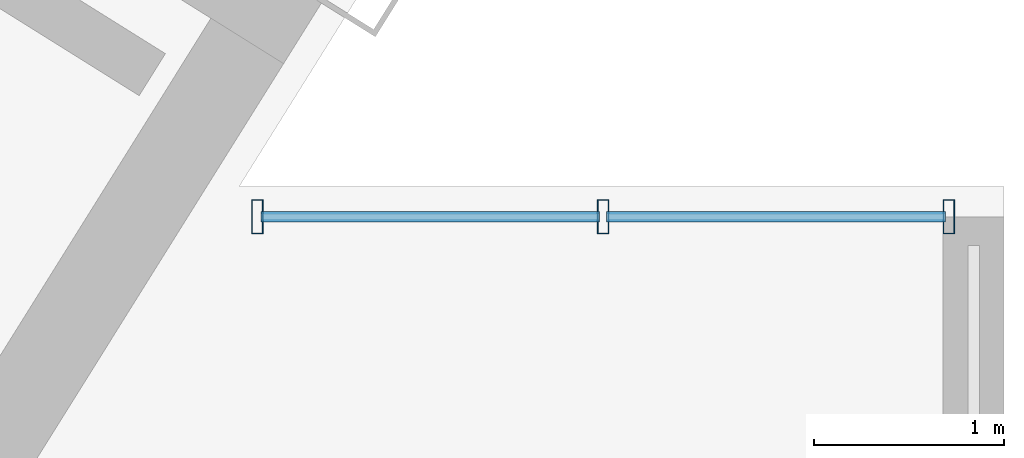
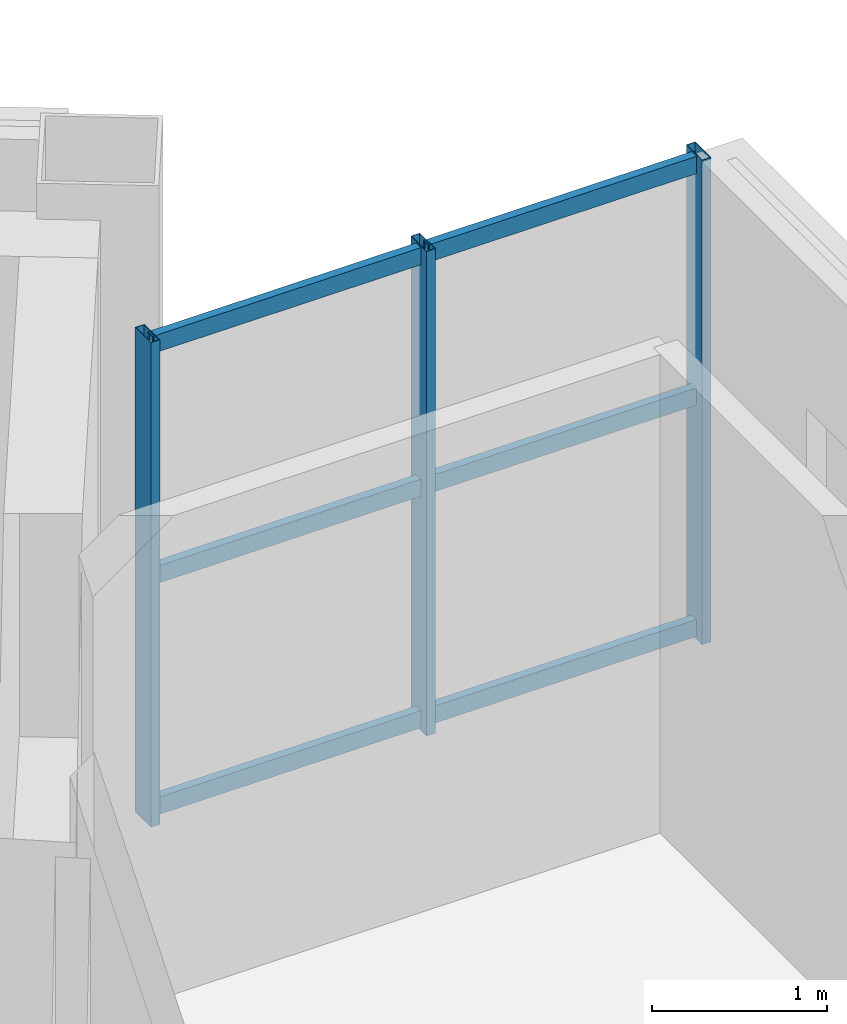
# One storey, part 5 of 13: 9 members, 1 element without a shape of its own.
"""IFC4 building model written with IfcOpenShell, lengths in metres."""

from ifc_helpers import new_model, si_unit, direction, frame, origin, origin_2d, place, context, subcontext, project, spatial, hollow_rectangle, extrude, source, transform, mapped, material, material_profile, profile_set, type_object, element, aggregate, save


model = new_model("IFC4")

# Units and contexts
model_context = context("Model", 3, precision=1e-05, world=origin(), true_north=direction((0.0, 1.0)))
body_context = subcontext(model_context, "Body", "Model", "MODEL_VIEW")
ifc_project = project(units=[si_unit("LENGTHUNIT", "METRE"), si_unit("AREAUNIT", "SQUARE_METRE"), si_unit("VOLUMEUNIT", "CUBIC_METRE"), si_unit("PLANEANGLEUNIT", "RADIAN"), si_unit("MASSUNIT", "GRAM", prefix="KILO")], contexts=[model_context])

# Site, building, storey
site_placement = place(None, origin())
site = spatial("IfcSite", under=ifc_project, at=site_placement, CompositionType="ELEMENT")
building_placement = place(site_placement, origin())
building = spatial("IfcBuilding", under=site, at=building_placement, Name="Tlacorven Tower", CompositionType="ELEMENT")
storey_placement = place(building_placement, frame((0.0, 0.0, 291.60009765625)))
storey = spatial("IfcBuildingStorey", under=building, at=storey_placement, Name="L74", CompositionType="ELEMENT", Elevation=291.60009765625)

# Curtain wall, members
ifc_material_1 = material(Name="Dark solar low-E double glazing in aluminium frame", Category="aluminium")
curtain_wall_type = type_object("IfcCurtainWallType", Name="CW-TWR-HIGH", PredefinedType="USERDEFINED", material=ifc_material_1)
curtain_wall_placement = place(storey_placement, origin())
curtain_wall = element("IfcCurtainWall", 1, at=curtain_wall_placement, inside=storey, type_object=curtain_wall_type, Name="L74 CW-TWR-HIGH Curtain Wall 348", ObjectType="UNITISED CURTAIN WALL", PredefinedType="USERDEFINED")
ifc_material_2 = material(Name="Aluminium 6063-T6 anodised", Category="aluminium")
ifc_material_profile_1 = material_profile(ifc_material_2, hollow_rectangle(XDim=0.06005859375, YDim=0.179931640625, WallThickness=0.00390625, at=origin_2d()), Name="ALU MULLION 60X180")
ifc_profile_set_1 = profile_set([ifc_material_profile_1], Name="Aluminium 6063-T6 anodised")
member_type_1 = type_object("IfcMemberType", Name="CWM-03", PredefinedType="MULLION", material=ifc_profile_set_1)
shared_shape_1 = source(origin(), body_context, "Body", "SweptSolid", [
    extrude(hollow_rectangle(XDim=0.06005859375, YDim=0.179931640625, WallThickness=0.00390625, at=origin_2d()), origin(), (0.0, 0.0, 1.0), 3.3798828125),
])
member_1_placement = place(storey_placement, frame((40.27392578125, 23.0400390625, -0.02001953125), z_axis=(0.0, 0.0, 1.0), x_axis=(1.0, 0.0, 0.0)))
member_1 = element("IfcMember", 2, at=member_1_placement, type_object=member_type_1, Name="CW-L74-348 Mullion 1", PredefinedType="MULLION", context=body_context, shape_type="MappedRepresentation", body=[
    mapped(shared_shape_1, transform((0.0, 0.0, 0.0), scale=1.0)),
])
member_2_placement = place(storey_placement, frame((42.092041015625, 23.0400390625, -0.02001953125), z_axis=(0.0, 0.0, 1.0), x_axis=(1.0, 0.0, 0.0)))
member_2 = element("IfcMember", 3, at=member_2_placement, type_object=member_type_1, Name="CW-L74-348 Mullion 2", PredefinedType="MULLION", context=body_context, shape_type="MappedRepresentation", body=[
    mapped(shared_shape_1, transform((0.0, 0.0, 0.0), scale=1.0)),
])
member_3_placement = place(storey_placement, frame((43.909912109375, 23.0400390625, -0.02001953125), z_axis=(0.0, 0.0, 1.0), x_axis=(1.0, 0.0, 0.0)))
member_3 = element("IfcMember", 4, at=member_3_placement, type_object=member_type_1, Name="CW-L74-348 Mullion 3", PredefinedType="MULLION", context=body_context, shape_type="MappedRepresentation", body=[
    mapped(shared_shape_1, transform((0.0, 0.0, 0.0), scale=1.0)),
])
ifc_material_profile_2 = material_profile(ifc_material_2, hollow_rectangle(XDim=0.054931640625, YDim=0.1201171875, WallThickness=0.00341796875, at=origin_2d()), Name="ALU TRANSOM 55X120")
ifc_profile_set_2 = profile_set([ifc_material_profile_2], Name="Aluminium 6063-T6 anodised")
member_type_2 = type_object("IfcMemberType", Name="CWT-03", PredefinedType="USERDEFINED", material=ifc_profile_set_2)
shared_shape_2 = source(origin(), body_context, "Body", "SweptSolid", [
    extrude(hollow_rectangle(XDim=0.054931640625, YDim=0.1201171875, WallThickness=0.00341796875, at=origin_2d()), origin(), (0.0, 0.0, 1.0), 1.781982421875),
])
member_4_placement = place(storey_placement, frame((40.2919921875, 23.0400390625, 0.059814453125), z_axis=(1.0, 0.0, 0.0), x_axis=(0.0, 1.0, 0.0)))
member_4 = element("IfcMember", 5, at=member_4_placement, type_object=member_type_2, Name="CW-L74-348 Transom 1", ObjectType="TRANSOM", PredefinedType="USERDEFINED", context=body_context, shape_type="MappedRepresentation", body=[
    mapped(shared_shape_2, transform((0.0, 0.0, 0.0), scale=1.0)),
])
member_5_placement = place(storey_placement, frame((40.2919921875, 23.0400390625, 1.6748046875), z_axis=(1.0, 0.0, 0.0), x_axis=(0.0, 1.0, 0.0)))
member_5 = element("IfcMember", 6, at=member_5_placement, type_object=member_type_2, Name="CW-L74-348 Transom 2", ObjectType="TRANSOM", PredefinedType="USERDEFINED", context=body_context, shape_type="MappedRepresentation", body=[
    mapped(shared_shape_2, transform((0.0, 0.0, 0.0), scale=1.0)),
])
member_6_placement = place(storey_placement, frame((40.2919921875, 23.0400390625, 3.289794921875), z_axis=(1.0, 0.0, 0.0), x_axis=(0.0, 1.0, 0.0)))
member_6 = element("IfcMember", 7, at=member_6_placement, type_object=member_type_2, Name="CW-L74-348 Transom 3", ObjectType="TRANSOM", PredefinedType="USERDEFINED", context=body_context, shape_type="MappedRepresentation", body=[
    mapped(shared_shape_2, transform((0.0, 0.0, 0.0), scale=1.0)),
])
shared_shape_3 = source(origin(), body_context, "Body", "SweptSolid", [
    extrude(hollow_rectangle(XDim=0.054931640625, YDim=0.1201171875, WallThickness=0.00341796875, at=origin_2d()), origin(), (0.0, 0.0, 1.0), 1.7822265625),
])
member_7_placement = place(storey_placement, frame((42.10986328125, 23.0400390625, 0.059814453125), z_axis=(1.0, 0.0, 0.0), x_axis=(0.0, 1.0, 0.0)))
member_7 = element("IfcMember", 8, at=member_7_placement, type_object=member_type_2, Name="CW-L74-348 Transom 4", ObjectType="TRANSOM", PredefinedType="USERDEFINED", context=body_context, shape_type="MappedRepresentation", body=[
    mapped(shared_shape_3, transform((0.0, 0.0, 0.0), scale=1.0)),
])
member_8_placement = place(storey_placement, frame((42.10986328125, 23.0400390625, 1.6748046875), z_axis=(1.0, 0.0, 0.0), x_axis=(0.0, 1.0, 0.0)))
member_8 = element("IfcMember", 9, at=member_8_placement, type_object=member_type_2, Name="CW-L74-348 Transom 5", ObjectType="TRANSOM", PredefinedType="USERDEFINED", context=body_context, shape_type="MappedRepresentation", body=[
    mapped(shared_shape_3, transform((0.0, 0.0, 0.0), scale=1.0)),
])
member_9_placement = place(storey_placement, frame((42.10986328125, 23.0400390625, 3.289794921875), z_axis=(1.0, 0.0, 0.0), x_axis=(0.0, 1.0, 0.0)))
member_9 = element("IfcMember", 10, at=member_9_placement, type_object=member_type_2, Name="CW-L74-348 Transom 6", ObjectType="TRANSOM", PredefinedType="USERDEFINED", context=body_context, shape_type="MappedRepresentation", body=[
    mapped(shared_shape_3, transform((0.0, 0.0, 0.0), scale=1.0)),
])
aggregate(curtain_wall, [member_1, member_2, member_3, member_4, member_5, member_6, member_7, member_8, member_9])

save(model, "model.ifc")
